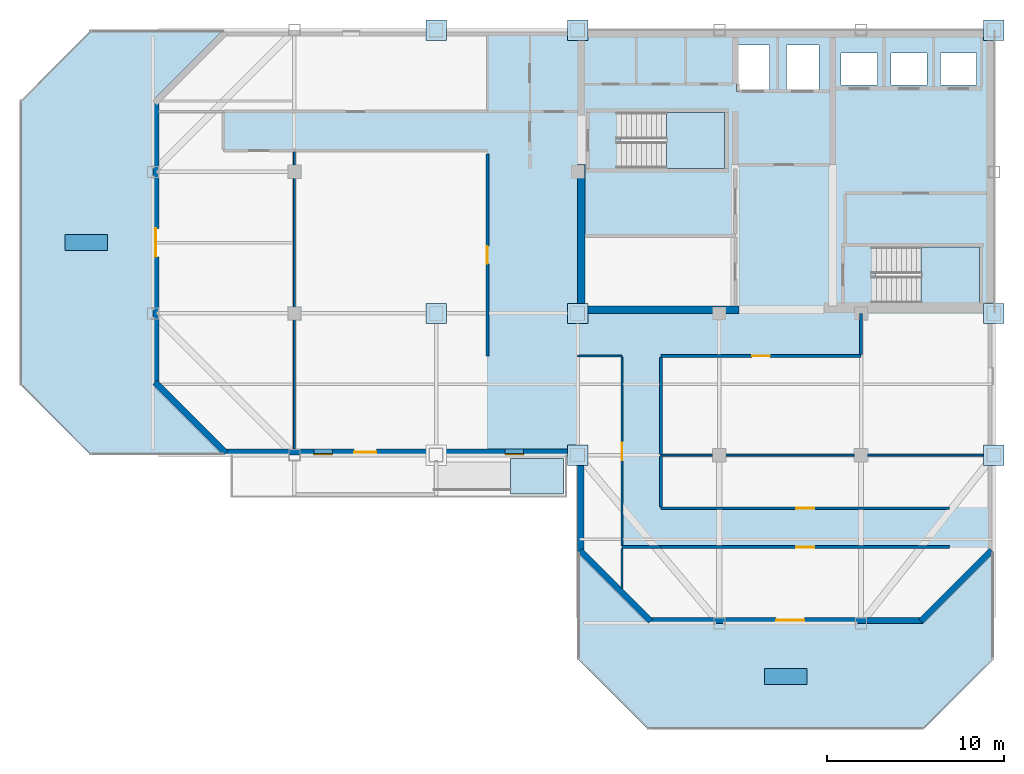
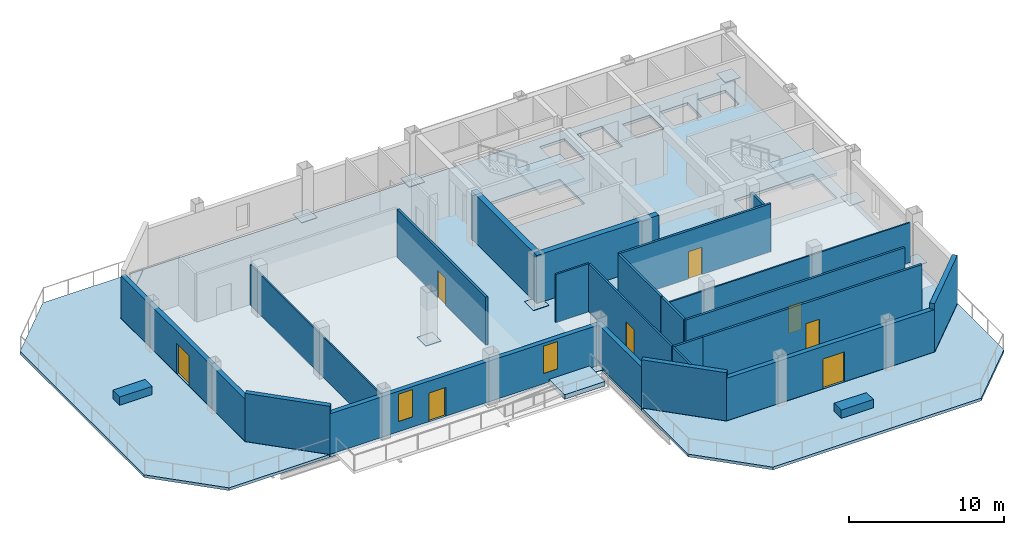
# One storey, part 2 of 8: 24 walls, 8 doors, 8 plates, 6 slabs, 2 windows, 10 openings, 3 elements without a shape of their own.
"""IFC4 building model written with IfcOpenShell, lengths in metres."""

from ifc_helpers import new_model, si_unit, direction, frame, frame_2d, origin, origin_2d, place, context, subcontext, project, spatial, polyline, rectangle, outline, extrude, material, layer, layer_set, type_object, element, fill, aggregate, save


model = new_model("IFC4")

# Units and contexts
model_context = context("Model", 3, precision=1e-05, world=origin(), true_north=direction((0.0, 1.0)))
body_context = subcontext(model_context, "Body", "Model", "MODEL_VIEW")
ifc_project = project(units=[si_unit("LENGTHUNIT", "METRE"), si_unit("AREAUNIT", "SQUARE_METRE"), si_unit("VOLUMEUNIT", "CUBIC_METRE"), si_unit("PLANEANGLEUNIT", "RADIAN"), si_unit("MASSUNIT", "GRAM", prefix="KILO")], contexts=[model_context])

# Site, building, storey
site_placement = place(None, origin())
site = spatial("IfcSite", under=ifc_project, at=site_placement, CompositionType="ELEMENT")
building_placement = place(site_placement, origin())
building = spatial("IfcBuilding", under=site, at=building_placement, Name="Qianrong Seaharbour Tower", CompositionType="ELEMENT")
storey_placement = place(building_placement, frame((0.0, 0.0, 287.199951171875)))
storey = spatial("IfcBuildingStorey", under=building, at=storey_placement, Name="L69", CompositionType="ELEMENT", Elevation=287.199951171875)

# Plates
ifc_material_1 = material(Name="Structural steel SN490B", Category="steel")
ifc_layer_1 = layer(ifc_material_1, 0.044921875)
ifc_layer_set_1 = layer_set([ifc_layer_1], Name="Structural steel SN490B")
plate_type = type_object("IfcPlateType", Name="PLT-COL-CAP-45", PredefinedType="SHEET", material=ifc_layer_set_1)
for number, where, z_axis, x_axis, name in (
    (1, (32.5, 36.0, -0.0224609375), (0.0, 0.0, 1.0), (1.0, 0.0, 0.0), "L69 Column Splice Cap Plate G5/GF"),
    (2, (32.5, 52.0, -0.0224609375), (0.0, 0.0, 1.0), (1.0, 0.0, 0.0), "L69 Column Splice Cap Plate G5/GH"),
    (3, (40.5, 28.0, -0.0224609375), (0.0, 0.0, 1.0), (1.0, 0.0, 0.0), "L69 Column Splice Cap Plate G6/GE"),
    (4, (40.5, 36.0, -0.0224609375), (0.0, 0.0, 1.0), (1.0, 0.0, 0.0), "L69 Column Splice Cap Plate G6/GF"),
    (5, (40.5, 52.0, -0.0224609375), (0.0, 0.0, 1.0), (1.0, 0.0, 0.0), "L69 Column Splice Cap Plate G6/GH"),
    (6, (64.0, 28.0, -0.0224609375), (0.0, 0.0, 1.0), (1.0, 0.0, 0.0), "L69 Column Splice Cap Plate G9/GE"),
    (7, (64.0, 36.0, -0.0224609375), (0.0, 0.0, 1.0), (1.0, 0.0, 0.0), "L69 Column Splice Cap Plate G9/GF"),
    (8, (64.0, 52.0, -0.0224609375), (0.0, 0.0, 1.0), (1.0, 0.0, 0.0), "L69 Column Splice Cap Plate G9/GH"),
):
    element("IfcPlate", number, at=place(storey_placement, frame(where, z_axis=z_axis, x_axis=x_axis)), inside=storey, type_object=plate_type, Name=name, PredefinedType="SHEET", context=body_context, shape_type="SweptSolid", body=[
        extrude(rectangle(XDim=1.14990234375, YDim=1.14990234375, at=origin_2d()), origin(), (0.0, 0.0, 1.0), 0.044921875),
    ])

# Ramp, slab
ifc_material_2 = material(Name="White architectural precast concrete C45/55", Category="concrete")
ramp_type = type_object("IfcRampType", Name="RAMP-RIBBON-GARDEN", PredefinedType="STRAIGHT_RUN_RAMP", material=ifc_material_2)
ramp_placement = place(storey_placement, origin())
ramp = element("IfcRamp", 9, at=ramp_placement, inside=storey, type_object=ramp_type, Name="L69 Harbourfront Garden Ribbon Ramp", PredefinedType="STRAIGHT_RUN_RAMP")
ifc_layer_2 = layer(ifc_material_2, 0.360107421875)
ifc_layer_set_2 = layer_set([ifc_layer_2], Name="White architectural precast concrete C45/55")
slab_type_1 = type_object("IfcSlabType", Name="SLAB-RAMP-LANDING-220", PredefinedType="LANDING", material=ifc_layer_set_2)
slab_1_placement = place(storey_placement, origin())
slab_1 = element("IfcSlab", 10, at=slab_1_placement, type_object=slab_type_1, Name="L69 Harbourfront Ribbon Raised Garden Landing", PredefinedType="LANDING", context=body_context, shape_type="SweptSolid", body=[
    extrude(outline(polyline([(36.699951171875, 25.800048828125), (39.699951171875, 25.800048828125), (39.699951171875, 27.800048828125), (36.699951171875, 27.800048828125), (36.699951171875, 25.800048828125)])), origin(), (0.0, 0.0, 1.0), 0.360107421875),
])
aggregate(ramp, [slab_1])

# Stair, slab
ifc_material_3 = material(Name="Concrete C50/60", Category="concrete")
stair_type = type_object("IfcStairType", Name="STAIR-DOGLEG-1500-R22", PredefinedType="HALF_TURN_STAIR", material=ifc_material_3)
stair_1_placement = place(storey_placement, origin())
stair_1 = element("IfcStair", 11, at=stair_1_placement, inside=storey, type_object=stair_type, Name="L69 Protected Escape Stair ST-1", PredefinedType="HALF_TURN_STAIR")
ifc_layer_3 = layer(ifc_material_3, 0.199951171875)
ifc_layer_set_3 = layer_set([ifc_layer_3], Name="Concrete C50/60")
slab_type_2 = type_object("IfcSlabType", Name="SLAB-STAIR-LANDING-200", PredefinedType="LANDING", material=ifc_layer_set_3)
slab_2_placement = place(storey_placement, frame((0.0, 0.0, 1.800048828125)))
slab_2 = element("IfcSlab", 12, at=slab_2_placement, type_object=slab_type_2, Name="ST-1 landing 1", PredefinedType="LANDING", context=body_context, shape_type="SweptSolid", body=[
    extrude(outline(polyline([(45.5, 44.199951171875), (48.800048828125, 44.199951171875), (48.800048828125, 47.35009765625), (45.5, 47.35009765625), (45.5, 44.199951171875)])), origin(), (0.0, 0.0, 1.0), 0.199951171875),
])
aggregate(stair_1, [slab_2])

stair_2_placement = place(storey_placement, origin())
stair_2 = element("IfcStair", 13, at=stair_2_placement, inside=storey, type_object=stair_type, Name="L69 Protected Escape Stair ST-2", PredefinedType="HALF_TURN_STAIR")
slab_3_placement = place(storey_placement, frame((0.0, 0.0, 1.800048828125)))
slab_3 = element("IfcSlab", 14, at=slab_3_placement, type_object=slab_type_2, Name="ST-2 landing 1", PredefinedType="LANDING", context=body_context, shape_type="SweptSolid", body=[
    extrude(outline(polyline([(59.89990234375, 36.60009765625), (63.199951171875, 36.60009765625), (63.199951171875, 39.75), (59.89990234375, 39.75), (59.89990234375, 36.60009765625)])), origin(), (0.0, 0.0, 1.0), 0.199951171875),
])
aggregate(stair_2, [slab_3])

# Slabs
ifc_layer_4 = layer(ifc_material_3, 0.215087890625)
ifc_layer_set_4 = layer_set([ifc_layer_4], Name="Concrete C50/60")
slab_type_3 = type_object("IfcSlabType", Name="SLAB-TERRACE-ROOF-215", PredefinedType="ROOF", material=ifc_layer_set_4)
slab_4_placement = place(storey_placement, frame((0.0, 0.0, -0.21484375)))
element("IfcSlab", 15, at=slab_4_placement, inside=storey, type_object=slab_type_3, Name="L69 Stepped Sky Garden Terrace Roof Slab 1", PredefinedType="ROOF", context=body_context, shape_type="SweptSolid", body=[
    extrude(outline(polyline([(9.0, 32.0), (9.0, 48.0), (13.0, 52.0), (20.4716796875, 52.0), (16.48583984375, 48.01416015625), (16.484619140625, 48.0126953125), (16.4833984375, 48.010986328125), (16.482421875, 48.009521484375), (16.4814453125, 48.0078125), (16.48095703125, 48.005859375), (16.48046875, 48.00390625), (16.47998046875, 48.001953125), (16.47998046875, 48.0), (16.47998046875, 32.0), (16.47998046875, 31.998046875), (16.48046875, 31.99609375), (16.48095703125, 31.994140625), (16.4814453125, 31.9921875), (16.482421875, 31.990478515625), (16.4833984375, 31.989013671875), (16.484619140625, 31.9873046875), (16.48583984375, 31.98583984375), (20.4716796875, 28.0), (13.0, 28.0), (9.0, 32.0)])), origin(), (0.0, 0.0, 1.0), 0.21484375),
])
slab_5_placement = place(storey_placement, frame((0.0, 0.0, -0.21484375)))
element("IfcSlab", 16, at=slab_5_placement, inside=storey, type_object=slab_type_3, Name="L69 Stepped Sky Garden Terrace Roof Slab 2", PredefinedType="ROOF", context=body_context, shape_type="SweptSolid", body=[
    extrude(outline(polyline([(60.0, 12.5), (44.5, 12.5), (40.5, 16.5), (40.5, 22.4716796875), (44.48583984375, 18.48583984375), (44.4873046875, 18.484619140625), (44.489013671875, 18.4833984375), (44.490478515625, 18.482421875), (44.4921875, 18.4814453125), (44.494140625, 18.48095703125), (44.49609375, 18.48046875), (44.498046875, 18.47998046875), (44.5, 18.47998046875), (60.0, 18.47998046875), (60.001953125, 18.47998046875), (60.00390625, 18.48046875), (60.005859375, 18.48095703125), (60.0078125, 18.4814453125), (60.009521484375, 18.482421875), (60.010986328125, 18.4833984375), (60.0126953125, 18.484619140625), (60.01416015625, 18.48583984375), (64.0, 22.4716796875), (64.0, 16.5), (60.0, 12.5)])), origin(), (0.0, 0.0, 1.0), 0.21484375),
])
ifc_layer_5 = layer(ifc_material_3, 0.215087890625)
ifc_layer_set_5 = layer_set([ifc_layer_5], Name="Concrete C50/60")
slab_type_4 = type_object("IfcSlabType", Name="SLAB-Z4-215", PredefinedType="FLOOR", material=ifc_layer_set_5)
slab_6_placement = place(storey_placement, frame((0.0, 0.0, -0.21484375)))
element("IfcSlab", 17, at=slab_6_placement, inside=storey, type_object=slab_type_4, Name="L69 Structural Floor Slab", PredefinedType="FLOOR", context=body_context, shape_type="SweptSolid", body=[
    extrude(outline(polyline([(44.5, 18.5), (60.0, 18.5), (64.0, 22.5), (64.0, 52.0), (20.5, 52.0), (16.5, 48.0), (16.5, 32.0), (20.5, 28.0), (40.5, 28.0), (40.5, 22.5), (44.5, 18.5)]), holes=[polyline([(42.93994140625, 44.199951171875), (42.93994140625, 47.35009765625), (48.800048828125, 47.35009765625), (48.800048828125, 44.199951171875), (42.93994140625, 44.199951171875)]), polyline([(57.340087890625, 36.60009765625), (57.340087890625, 39.75), (63.199951171875, 39.75), (63.199951171875, 36.60009765625), (57.340087890625, 36.60009765625)]), polyline([(49.47998046875, 48.530029296875), (49.47998046875, 51.169921875), (51.320068359375, 51.169921875), (51.320068359375, 48.530029296875), (49.47998046875, 48.530029296875)]), polyline([(52.280029296875, 48.530029296875), (52.280029296875, 51.169921875), (54.1201171875, 51.169921875), (54.1201171875, 48.530029296875), (52.280029296875, 48.530029296875)]), polyline([(55.3798828125, 48.89990234375), (55.3798828125, 50.699951171875), (57.419921875, 50.699951171875), (57.419921875, 48.89990234375), (55.3798828125, 48.89990234375)]), polyline([(58.179931640625, 48.89990234375), (58.179931640625, 50.699951171875), (60.219970703125, 50.699951171875), (60.219970703125, 48.89990234375), (58.179931640625, 48.89990234375)]), polyline([(60.97998046875, 48.89990234375), (60.97998046875, 50.699951171875), (63.02001953125, 50.699951171875), (63.02001953125, 48.89990234375), (60.97998046875, 48.89990234375)])]), origin(), (0.0, 0.0, 1.0), 0.21484375),
])

# Walls
ifc_layer_6 = layer(ifc_material_3, 0.419921875)
ifc_layer_set_6 = layer_set([ifc_layer_6], Name="Concrete C50/60")
wall_type_1 = type_object("IfcWallType", Name="WALL-CORE-420", PredefinedType="SHEAR", material=ifc_layer_set_6)
wall_1_placement = place(storey_placement, frame((40.7099609375, 36.419921875, 0.0), z_axis=(0.0, 0.0, 1.0), x_axis=(0.0, 1.0, 0.0)))
element("IfcWall", 18, at=wall_1_placement, inside=storey, type_object=wall_type_1, Name="L69 West Core Shear Wall South", PredefinedType="SHEAR", context=body_context, shape_type="SweptSolid", body=[
    extrude(rectangle(XDim=7.97998046875, YDim=0.419921875, at=frame_2d((3.989990234375, 0.0))), origin(), (0.0, 0.0, 1.0), 3.78515625),
])
wall_2_placement = place(storey_placement, frame((40.5, 36.2099609375, 0.0), z_axis=(0.0, 0.0, 1.0), x_axis=(1.0, 0.0, 0.0)))
element("IfcWall", 19, at=wall_2_placement, inside=storey, type_object=wall_type_1, Name="L69 South Core Shear Wall S1", PredefinedType="SHEAR", context=body_context, shape_type="SweptSolid", body=[
    extrude(rectangle(XDim=9.10009765625, YDim=0.419921875, at=frame_2d((4.550048828125, 0.0))), origin(), (0.0, 0.0, 1.0), 3.78515625),
])

# Wall, opening, door
ifc_material_4 = material(Name="Fire-rated acoustic gypsum board partition")
ifc_layer_7 = layer(ifc_material_4, 0.1650390625)
ifc_layer_set_7 = layer_set([ifc_layer_7], Name="Fire-rated acoustic gypsum board partition")
wall_type_2 = type_object("IfcWallType", Name="WALL-CORR-PART-165", PredefinedType="PARTITIONING", material=ifc_layer_set_7)
wall_3_placement = place(storey_placement, frame((35.39990234375, 33.60009765625, 0.0), z_axis=(0.0, 0.0, 1.0), x_axis=(0.0, 1.0, 0.0)))
wall_3 = element("IfcWall", 20, at=wall_3_placement, inside=storey, type_object=wall_type_2, Name="L69 Interior Partition Wall 022", PredefinedType="PARTITIONING", context=body_context, shape_type="SweptSolid", body=[
    extrude(rectangle(XDim=11.39990234375, YDim=0.1650390625, at=frame_2d((5.699951171875, 0.0))), origin(), (0.0, 0.0, 1.0), 3.78515625),
])
opening_1_placement = place(wall_3_placement, frame((5.199951171875, 0.0, 0.0)))
opening_1 = element("IfcOpeningElement", 21, at=opening_1_placement, cuts=wall_3, Name="Opening DO-01", PredefinedType="OPENING", context=body_context, shape_type="SweptSolid", body=[
    extrude(rectangle(XDim=1.0, YDim=2.14990234375, at=frame_2d((0.5, 1.074951171875))), frame((0.0, 0.092529296875, 0.0), z_axis=(0.0, -1.0, 0.0), x_axis=(1.0, 0.0, 0.0)), (0.0, 0.0, 1.0), 0.18505859375),
])
ifc_material_5 = material(Name="Acoustic timber and galvanized steel fire door assembly", Category="steel")
door_type_1 = type_object("IfcDoorType", Name="DOOR-OFFICE-1000x2150", OperationType="NOTDEFINED", PredefinedType="DOOR", material=ifc_material_5)
door_1_placement = place(opening_1_placement, origin())
door_1 = element("IfcDoor", 22, at=door_1_placement, inside=storey, type_object=door_type_1, Name="L69 Project Library 2 Door", OperationType="SINGLE_SWING_LEFT", OverallHeight=2.14990234375, OverallWidth=1.0, PredefinedType="DOOR", context=body_context, shape_type="SweptSolid", body=[
    extrude(rectangle(XDim=1.0, YDim=2.14990234375, at=frame_2d((0.5, 1.074951171875))), frame((0.0, 0.02490234375, 0.0), z_axis=(0.0, -1.0, 0.0), x_axis=(1.0, 0.0, 0.0)), (0.0, 0.0, 1.0), 0.050048828125),
])
fill(opening_1, door_1)

# Wall
wall_4_placement = place(storey_placement, frame((56.5, 36.0, 0.0), z_axis=(0.0, 0.0, 1.0), x_axis=(0.0, -1.0, 0.0)))
element("IfcWall", 23, at=wall_4_placement, inside=storey, type_object=wall_type_2, Name="L69 Interior Partition Wall 023", PredefinedType="PARTITIONING", context=body_context, shape_type="SweptSolid", body=[
    extrude(rectangle(XDim=2.325439453125, YDim=0.1650390625, at=frame_2d((1.16259765625, 0.0))), origin(), (0.0, 0.0, 1.0), 3.177001953125),
])

# Wall, opening, door
wall_5_placement = place(storey_placement, frame((56.5, 33.60009765625, 0.0), z_axis=(0.0, 0.0, 1.0), x_axis=(-1.0, 0.0, 0.0)))
wall_5 = element("IfcWall", 24, at=wall_5_placement, inside=storey, type_object=wall_type_2, Name="L69 Interior Partition Wall 024", PredefinedType="PARTITIONING", context=body_context, shape_type="SweptSolid", body=[
    extrude(rectangle(XDim=11.300048828125, YDim=0.1650390625, at=frame_2d((5.64990234375, 0.0))), origin(), (0.0, 0.0, 1.0), 3.78515625),
])
opening_2_placement = place(wall_5_placement, frame((5.14990234375, 0.0, 0.0)))
opening_2 = element("IfcOpeningElement", 25, at=opening_2_placement, cuts=wall_5, Name="Opening DO-01", PredefinedType="OPENING", context=body_context, shape_type="SweptSolid", body=[
    extrude(rectangle(XDim=1.0, YDim=2.14990234375, at=frame_2d((0.5, 1.074951171875))), frame((0.0, 0.092529296875, 0.0), z_axis=(0.0, -1.0, 0.0), x_axis=(1.0, 0.0, 0.0)), (0.0, 0.0, 1.0), 0.18505859375),
])
door_2_placement = place(opening_2_placement, origin())
door_2 = element("IfcDoor", 26, at=door_2_placement, inside=storey, type_object=door_type_1, Name="L69 Executive Briefing Salon 2 Door", OperationType="SINGLE_SWING_LEFT", OverallHeight=2.14990234375, OverallWidth=1.0, PredefinedType="DOOR", context=body_context, shape_type="SweptSolid", body=[
    extrude(rectangle(XDim=1.0, YDim=2.14990234375, at=frame_2d((0.5, 1.074951171875))), frame((0.0, 0.02490234375, 0.0), z_axis=(0.0, -1.0, 0.0), x_axis=(1.0, 0.0, 0.0)), (0.0, 0.0, 1.0), 0.050048828125),
])
fill(opening_2, door_2)

# Walls
wall_6_placement = place(storey_placement, frame((45.199951171875, 27.952880859375, 0.0), z_axis=(0.0, 0.0, 1.0), x_axis=(0.0, -1.0, 0.0)))
element("IfcWall", 27, at=wall_6_placement, inside=storey, type_object=wall_type_2, Name="L69 Interior Partition Wall 026", PredefinedType="PARTITIONING", context=body_context, shape_type="SweptSolid", body=[
    extrude(rectangle(XDim=2.87841796875, YDim=0.1650390625, at=frame_2d((1.439208984375, 0.0))), origin(), (0.0, 0.0, 1.0), 3.78515625),
])
wall_7_placement = place(storey_placement, frame((45.199951171875, 33.525390625, 0.0), z_axis=(0.0, 0.0, 1.0), x_axis=(0.0, -1.0, 0.0)))
element("IfcWall", 28, at=wall_7_placement, inside=storey, type_object=wall_type_2, Name="L69 Interior Partition Wall 027", PredefinedType="PARTITIONING", context=body_context, shape_type="SweptSolid", body=[
    extrude(rectangle(XDim=5.478271484375, YDim=0.1650390625, at=frame_2d((2.7392578125, 0.0))), origin(), (0.0, 0.0, 1.0), 3.78515625),
])
wall_8_placement = place(storey_placement, frame((45.199951171875, 22.800048828125, 0.0), z_axis=(0.0, 0.0, 1.0), x_axis=(-1.0, 0.0, 0.0)))
element("IfcWall", 29, at=wall_8_placement, inside=storey, type_object=wall_type_2, Name="L69 Interior Partition Wall 029", PredefinedType="PARTITIONING", context=body_context, shape_type="SweptSolid", body=[
    extrude(rectangle(XDim=2.199951171875, YDim=0.1650390625, at=frame_2d((1.10009765625, 0.0))), origin(), (0.0, 0.0, 1.0), 3.78515625),
])

# Wall, opening, door
wall_9_placement = place(storey_placement, frame((45.199951171875, 25.0, 0.0), z_axis=(0.0, 0.0, 1.0), x_axis=(1.0, 0.0, 0.0)))
wall_9 = element("IfcWall", 30, at=wall_9_placement, inside=storey, type_object=wall_type_2, Name="L69 Interior Partition Wall 030", PredefinedType="PARTITIONING", context=body_context, shape_type="SweptSolid", body=[
    extrude(rectangle(XDim=16.300048828125, YDim=0.1650390625, at=frame_2d((8.14990234375, 0.0))), origin(), (0.0, 0.0, 1.0), 3.78515625),
])
opening_3_placement = place(wall_9_placement, frame((7.64990234375, 0.0, 0.0)))
opening_3 = element("IfcOpeningElement", 31, at=opening_3_placement, cuts=wall_9, Name="Opening DO-01", PredefinedType="OPENING", context=body_context, shape_type="SweptSolid", body=[
    extrude(rectangle(XDim=1.0, YDim=2.14990234375, at=frame_2d((0.5, 1.074951171875))), frame((0.0, 0.092529296875, 0.0), z_axis=(0.0, -1.0, 0.0), x_axis=(1.0, 0.0, 0.0)), (0.0, 0.0, 1.0), 0.18505859375),
])
door_3_placement = place(opening_3_placement, origin())
door_3 = element("IfcDoor", 32, at=door_3_placement, inside=storey, type_object=door_type_1, Name="L69 Harbour View Dining Bistro 1 Door", OperationType="SINGLE_SWING_RIGHT", OverallHeight=2.14990234375, OverallWidth=1.0, PredefinedType="DOOR", context=body_context, shape_type="SweptSolid", body=[
    extrude(rectangle(XDim=1.0, YDim=2.14990234375, at=frame_2d((0.5, 1.074951171875))), frame((0.0, 0.02490234375, 0.0), z_axis=(0.0, -1.0, 0.0), x_axis=(1.0, 0.0, 0.0)), (0.0, 0.0, 1.0), 0.050048828125),
])
fill(opening_3, door_3)

wall_10_placement = place(storey_placement, frame((61.5, 22.800048828125, 0.0), z_axis=(0.0, 0.0, 1.0), x_axis=(-1.0, 0.0, 0.0)))
wall_10 = element("IfcWall", 33, at=wall_10_placement, inside=storey, type_object=wall_type_2, Name="L69 Interior Partition Wall 031", PredefinedType="PARTITIONING", context=body_context, shape_type="SweptSolid", body=[
    extrude(rectangle(XDim=16.300048828125, YDim=0.1650390625, at=frame_2d((8.14990234375, 0.0))), origin(), (0.0, 0.0, 1.0), 3.78515625),
])
opening_4_placement = place(wall_10_placement, frame((7.64990234375, 0.0, 0.0)))
opening_4 = element("IfcOpeningElement", 34, at=opening_4_placement, cuts=wall_10, Name="Opening DO-01", PredefinedType="OPENING", context=body_context, shape_type="SweptSolid", body=[
    extrude(rectangle(XDim=1.0, YDim=2.14990234375, at=frame_2d((0.5, 1.074951171875))), frame((0.0, 0.092529296875, 0.0), z_axis=(0.0, -1.0, 0.0), x_axis=(1.0, 0.0, 0.0)), (0.0, 0.0, 1.0), 0.18505859375),
])
door_4_placement = place(opening_4_placement, origin())
door_4 = element("IfcDoor", 35, at=door_4_placement, inside=storey, type_object=door_type_1, Name="L69 Skyline Observation Lounge Door", OperationType="SINGLE_SWING_LEFT", OverallHeight=2.14990234375, OverallWidth=1.0, PredefinedType="DOOR", context=body_context, shape_type="SweptSolid", body=[
    extrude(rectangle(XDim=1.0, YDim=2.14990234375, at=frame_2d((0.5, 1.074951171875))), frame((0.0, 0.02490234375, 0.0), z_axis=(0.0, -1.0, 0.0), x_axis=(1.0, 0.0, 0.0)), (0.0, 0.0, 1.0), 0.050048828125),
])
fill(opening_4, door_4)

# Walls
ifc_material_6 = material(Name="Demountable aluminium-framed acoustic office partition", Category="aluminium")
ifc_layer_8 = layer(ifc_material_6, 0.110107421875)
ifc_layer_set_8 = layer_set([ifc_layer_8], Name="Demountable aluminium-framed acoustic office partition")
wall_type_3 = type_object("IfcWallType", Name="WALL-DEMOUNT-110", PredefinedType="MOVABLE", material=ifc_layer_set_8)
wall_11_placement = place(storey_placement, frame((24.5, 45.12548828125, 0.0), z_axis=(0.0, 0.0, 1.0), x_axis=(0.0, -1.0, 0.0)))
element("IfcWall", 36, at=wall_11_placement, inside=storey, type_object=wall_type_3, Name="L69 Interior Partition Wall 033", PredefinedType="MOVABLE", context=body_context, shape_type="SweptSolid", body=[
    extrude(rectangle(XDim=16.79345703125, YDim=0.110107421875, at=frame_2d((8.396728515625, 0.0))), origin(), (0.0, 0.0, 1.0), 3.177001953125),
])
wall_12_placement = place(storey_placement, frame((45.199951171875, 28.0, 0.0), z_axis=(0.0, 0.0, 1.0), x_axis=(1.0, 0.0, 0.0)))
element("IfcWall", 37, at=wall_12_placement, inside=storey, type_object=wall_type_3, Name="L69 Interior Partition Wall 034", PredefinedType="MOVABLE", context=body_context, shape_type="SweptSolid", body=[
    extrude(rectangle(XDim=18.468017578125, YDim=0.110107421875, at=frame_2d((9.23388671875, 0.0))), origin(), (0.0, 0.0, 1.0), 3.177001953125),
])
ifc_material_7 = material(Name="Unitised buff brick on Precast concrete C45/55", Category="masonry")
ifc_layer_9 = layer(ifc_material_7, 0.340087890625)
ifc_layer_set_9 = layer_set([ifc_layer_9], Name="Unitised buff brick on Precast concrete C45/55")
wall_type_4 = type_object("IfcWallType", Name="WALL-EXT-BRICK-BUFF-340", PredefinedType="SOLIDWALL", material=ifc_layer_set_9)
wall_13_placement = place(storey_placement, frame((40.669921875, 22.5, 0.0), z_axis=(0.0, 0.0, 1.0), x_axis=(0.0, 1.0, 0.0)))
element("IfcWall", 38, at=wall_13_placement, inside=storey, type_object=wall_type_4, Name="L69 Exterior Masonry Facade Wall REENTRANT_WEST", PredefinedType="SOLIDWALL", context=body_context, shape_type="SweptSolid", body=[
    extrude(rectangle(XDim=5.840087890625, YDim=0.340087890625, at=frame_2d((2.919921875, 0.0))), origin(), (0.0, 0.0, 1.0), 3.18505859375),
])

# Wall, openings, door, windows
wall_14_placement = place(storey_placement, frame((40.52001953125, 28.169921875, 0.0), z_axis=(0.0, 0.0, 1.0), x_axis=(-1.0, 0.0, 0.0)))
wall_14 = element("IfcWall", 39, at=wall_14_placement, inside=storey, type_object=wall_type_4, Name="L69 Exterior Masonry Facade Wall HARBOUR_RIBBON", PredefinedType="SOLIDWALL", context=body_context, shape_type="SweptSolid", body=[
    extrude(rectangle(XDim=20.02001953125, YDim=0.340087890625, at=frame_2d((10.010009765625, 0.0))), origin(), (0.0, 0.0, 1.0), 3.18505859375),
])
opening_5_placement = place(wall_14_placement, frame((3.074951171875, 0.0, 0.800048828125)))
opening_5 = element("IfcOpeningElement", 40, at=opening_5_placement, cuts=wall_14, Name="Opening WN-14", PredefinedType="OPENING", context=body_context, shape_type="SweptSolid", body=[
    extrude(rectangle(XDim=1.050048828125, YDim=2.14990234375, at=frame_2d((0.52490234375, 1.074951171875))), frame((0.0, 0.18017578125, 0.0), z_axis=(0.0, -1.0, 0.0), x_axis=(1.0, 0.0, 0.0)), (0.0, 0.0, 1.0), 0.360107421875),
])
opening_6_placement = place(wall_14_placement, frame((13.875, 0.0, 0.800048828125)))
opening_6 = element("IfcOpeningElement", 41, at=opening_6_placement, cuts=wall_14, Name="Opening WN-14", PredefinedType="OPENING", context=body_context, shape_type="SweptSolid", body=[
    extrude(rectangle(XDim=1.050048828125, YDim=2.14990234375, at=frame_2d((0.52490234375, 1.074951171875))), frame((0.0, 0.18017578125, 0.0), z_axis=(0.0, -1.0, 0.0), x_axis=(1.0, 0.0, 0.0)), (0.0, 0.0, 1.0), 0.360107421875),
])
opening_7_placement = place(wall_14_placement, frame((11.39501953125, 0.0, 0.0)))
opening_7 = element("IfcOpeningElement", 42, at=opening_7_placement, cuts=wall_14, Name="Opening D-TER1", PredefinedType="OPENING", context=body_context, shape_type="SweptSolid", body=[
    extrude(rectangle(XDim=1.25, YDim=2.25, at=frame_2d((0.625, 1.125))), frame((0.0, 0.18017578125, 0.0), z_axis=(0.0, -1.0, 0.0), x_axis=(1.0, 0.0, 0.0)), (0.0, 0.0, 1.0), 0.360107421875),
])
ifc_material_8 = material(Name="Insulated galvanized steel and laminated glass door assembly", Category="steel")
door_type_2 = type_object("IfcDoorType", Name="DOOR-EXT-TERRACE-1250x2250", OperationType="NOTDEFINED", PredefinedType="DOOR", material=ifc_material_8)
door_5_placement = place(opening_7_placement, origin())
door_5 = element("IfcDoor", 43, at=door_5_placement, inside=storey, type_object=door_type_2, Name="L69 Harbourfront Ribbon Gallery Access Door", OperationType="SINGLE_SWING_RIGHT", OverallHeight=2.25, OverallWidth=1.25, PredefinedType="DOOR", context=body_context, shape_type="SweptSolid", body=[
    extrude(rectangle(XDim=1.25, YDim=2.25, at=frame_2d((0.625, 1.125))), frame((0.0, 0.02490234375, 0.0), z_axis=(0.0, -1.0, 0.0), x_axis=(1.0, 0.0, 0.0)), (0.0, 0.0, 1.0), 0.050048828125),
])
fill(opening_7, door_5)
ifc_material_9 = material(Name="Insulated low-e double glazing in thermally broken aluminium 6063-T6 frame", Category="aluminium")
window_type = type_object("IfcWindowType", Name="WIN-NARROW-1050x2150", PartitioningType="SINGLE_PANEL", PredefinedType="WINDOW", material=ifc_material_9)
window_1_placement = place(opening_5_placement, origin())
window_1 = element("IfcWindow", 44, at=window_1_placement, inside=storey, type_object=window_type, Name="L69 Deep-Set Punched Window 01.01", OverallHeight=2.14990234375, OverallWidth=1.050048828125, PartitioningType="SINGLE_PANEL", PredefinedType="WINDOW", context=body_context, shape_type="SweptSolid", body=[
    extrude(rectangle(XDim=1.050048828125, YDim=2.14990234375, at=frame_2d((0.52490234375, 1.074951171875))), frame((0.0, 0.150146484375, 0.0), z_axis=(0.0, -1.0, 0.0), x_axis=(1.0, 0.0, 0.0)), (0.0, 0.0, 1.0), 0.06005859375),
])
fill(opening_5, window_1)
window_2_placement = place(opening_6_placement, origin())
window_2 = element("IfcWindow", 45, at=window_2_placement, inside=storey, type_object=window_type, Name="L69 Deep-Set Punched Window 01.04", OverallHeight=2.14990234375, OverallWidth=1.050048828125, PartitioningType="SINGLE_PANEL", PredefinedType="WINDOW", context=body_context, shape_type="SweptSolid", body=[
    extrude(rectangle(XDim=1.050048828125, YDim=2.14990234375, at=frame_2d((0.52490234375, 1.074951171875))), frame((0.0, 0.150146484375, 0.0), z_axis=(0.0, -1.0, 0.0), x_axis=(1.0, 0.0, 0.0)), (0.0, 0.0, 1.0), 0.06005859375),
])
fill(opening_6, window_2)

# Wall
wall_15_placement = place(storey_placement, frame((20.6201171875, 28.1201171875, 0.0), z_axis=(0.0, 0.0, 1.0), x_axis=(-0.707106781187, 0.707106781187, 0.0)))
element("IfcWall", 46, at=wall_15_placement, inside=storey, type_object=wall_type_4, Name="L69 Exterior Masonry Facade Wall E02", PredefinedType="SOLIDWALL", context=body_context, shape_type="SweptSolid", body=[
    extrude(rectangle(XDim=5.65673828125, YDim=0.340087890625, at=frame_2d((2.828369140625, 0.0))), origin(), (0.0, 0.0, 1.0), 3.78515625),
])

# Wall, opening, door
wall_16_placement = place(storey_placement, frame((16.669921875, 32.0, 0.0), z_axis=(0.0, 0.0, 1.0), x_axis=(0.0, 1.0, 0.0)))
wall_16 = element("IfcWall", 47, at=wall_16_placement, inside=storey, type_object=wall_type_4, Name="L69 Exterior Masonry Facade Wall WEST_TIP", PredefinedType="SOLIDWALL", context=body_context, shape_type="SweptSolid", body=[
    extrude(rectangle(XDim=16.0, YDim=0.340087890625, at=frame_2d((8.0, 0.0))), origin(), (0.0, 0.0, 1.0), 3.3349609375),
])
opening_8_placement = place(wall_16_placement, frame((7.199951171875, 0.0, 0.0)))
opening_8 = element("IfcOpeningElement", 48, at=opening_8_placement, cuts=wall_16, Name="Opening D-TER2", PredefinedType="OPENING", context=body_context, shape_type="SweptSolid", body=[
    extrude(rectangle(XDim=1.60009765625, YDim=2.35009765625, at=frame_2d((0.800048828125, 1.175048828125))), frame((0.0, 0.18017578125, 0.0), z_axis=(0.0, -1.0, 0.0), x_axis=(1.0, 0.0, 0.0)), (0.0, 0.0, 1.0), 0.360107421875),
])
door_type_3 = type_object("IfcDoorType", Name="DOOR-EXT-GARDEN-1600x2350", OperationType="DOUBLE_DOOR_SINGLE_SWING", PredefinedType="DOOR", material=ifc_material_8)
door_6_placement = place(opening_8_placement, origin())
door_6 = element("IfcDoor", 49, at=door_6_placement, inside=storey, type_object=door_type_3, Name="L69 Sky Garden Terrace Access Door 5", OperationType="DOUBLE_DOOR_SINGLE_SWING", OverallHeight=2.35009765625, OverallWidth=1.60009765625, PredefinedType="DOOR", context=body_context, shape_type="SweptSolid", body=[
    extrude(rectangle(XDim=1.60009765625, YDim=2.35009765625, at=frame_2d((0.800048828125, 1.175048828125))), frame((0.0, 0.02490234375, 0.0), z_axis=(0.0, -1.0, 0.0), x_axis=(1.0, 0.0, 0.0)), (0.0, 0.0, 1.0), 0.050048828125),
])
fill(opening_8, door_6)

# Wall
wall_17_placement = place(storey_placement, frame((63.8798828125, 22.6201171875, 0.0), z_axis=(0.0, 0.0, 1.0), x_axis=(-0.707106781187, -0.707106781187, 0.0)))
element("IfcWall", 50, at=wall_17_placement, inside=storey, type_object=wall_type_4, Name="L69 Exterior Masonry Facade Wall E07", PredefinedType="SOLIDWALL", context=body_context, shape_type="SweptSolid", body=[
    extrude(rectangle(XDim=5.65673828125, YDim=0.340087890625, at=frame_2d((2.828369140625, 0.0))), origin(), (0.0, 0.0, 1.0), 3.78515625),
])

# Wall, opening, door
wall_18_placement = place(storey_placement, frame((60.0, 18.669921875, 0.0), z_axis=(0.0, 0.0, 1.0), x_axis=(-1.0, 0.0, 0.0)))
wall_18 = element("IfcWall", 51, at=wall_18_placement, inside=storey, type_object=wall_type_4, Name="L69 Exterior Masonry Facade Wall SOUTH_TIP", PredefinedType="SOLIDWALL", context=body_context, shape_type="SweptSolid", body=[
    extrude(rectangle(XDim=15.5, YDim=0.340087890625, at=frame_2d((7.75, 0.0))), origin(), (0.0, 0.0, 1.0), 3.3349609375),
])
opening_9_placement = place(wall_18_placement, frame((6.699951171875, 0.0, 0.0)))
opening_9 = element("IfcOpeningElement", 52, at=opening_9_placement, cuts=wall_18, Name="Opening D-TER2", PredefinedType="OPENING", context=body_context, shape_type="SweptSolid", body=[
    extrude(rectangle(XDim=1.60009765625, YDim=2.35009765625, at=frame_2d((0.800048828125, 1.175048828125))), frame((0.0, 0.18017578125, 0.0), z_axis=(0.0, -1.0, 0.0), x_axis=(1.0, 0.0, 0.0)), (0.0, 0.0, 1.0), 0.360107421875),
])
door_7_placement = place(opening_9_placement, origin())
door_7 = element("IfcDoor", 53, at=door_7_placement, inside=storey, type_object=door_type_3, Name="L69 Sky Garden Terrace Access Door 6", OperationType="DOUBLE_DOOR_SINGLE_SWING", OverallHeight=2.35009765625, OverallWidth=1.60009765625, PredefinedType="DOOR", context=body_context, shape_type="SweptSolid", body=[
    extrude(rectangle(XDim=1.60009765625, YDim=2.35009765625, at=frame_2d((0.800048828125, 1.175048828125))), frame((0.0, 0.02490234375, 0.0), z_axis=(0.0, -1.0, 0.0), x_axis=(1.0, 0.0, 0.0)), (0.0, 0.0, 1.0), 0.050048828125),
])
fill(opening_9, door_7)

# Walls
wall_19_placement = place(storey_placement, frame((44.6201171875, 18.6201171875, 0.0), z_axis=(0.0, 0.0, 1.0), x_axis=(-0.707106781187, 0.707106781187, 0.0)))
element("IfcWall", 54, at=wall_19_placement, inside=storey, type_object=wall_type_4, Name="L69 Exterior Masonry Facade Wall E09", PredefinedType="SOLIDWALL", context=body_context, shape_type="SweptSolid", body=[
    extrude(rectangle(XDim=5.65673828125, YDim=0.340087890625, at=frame_2d((2.828369140625, 0.0))), origin(), (0.0, 0.0, 1.0), 3.78515625),
])
ifc_layer_10 = layer(ifc_material_2, 0.89990234375)
ifc_layer_set_10 = layer_set([ifc_layer_10], Name="White architectural precast concrete C45/55")
wall_type_5 = type_object("IfcWallType", Name="WALL-PLANTER-KERB-210", PredefinedType="PARAPET", material=ifc_layer_set_10)
for number, where, z_axis, x_axis, name in (
    (55, (11.5400390625, 40.0, 0.0), (0.0, 0.0, 1.0), (1.0, 0.0, 0.0), "L69 Sky Garden Structural Planter PLANTER 5"),
    (56, (51.050048828125, 15.489990234375, 0.0), (0.0, 0.0, 1.0), (1.0, 0.0, 0.0), "L69 Sky Garden Structural Planter PLANTER 6"),
):
    element("IfcWall", number, at=place(storey_placement, frame(where, z_axis=z_axis, x_axis=x_axis)), inside=storey, type_object=wall_type_5, Name=name, PredefinedType="PARAPET", context=body_context, shape_type="SweptSolid", body=[
        extrude(rectangle(XDim=2.39990234375, YDim=0.89990234375, at=frame_2d((1.199951171875, 0.0))), origin(), (0.0, 0.0, 1.0), 0.650146484375),
    ])
ifc_material_10 = material(Name="Water-resistant cement board sanitary partition")
ifc_layer_11 = layer(ifc_material_10, 0.1298828125)
ifc_layer_set_11 = layer_set([ifc_layer_11], Name="Water-resistant cement board sanitary partition")
wall_type_6 = type_object("IfcWallType", Name="WALL-WET-PART-130", PredefinedType="PARTITIONING", material=ifc_layer_set_11)
wall_20_placement = place(storey_placement, frame((43.0, 33.60009765625, 0.0), z_axis=(0.0, 0.0, 1.0), x_axis=(-1.0, 0.0, 0.0)))
element("IfcWall", 57, at=wall_20_placement, inside=storey, type_object=wall_type_6, Name="L69 Interior Partition Wall 025", PredefinedType="PARTITIONING", context=body_context, shape_type="SweptSolid", body=[
    extrude(rectangle(XDim=2.5, YDim=0.1298828125, at=frame_2d((1.25, 0.0))), origin(), (0.0, 0.0, 1.0), 3.78515625),
])

# Wall, opening, door
wall_21_placement = place(storey_placement, frame((43.0, 22.87451171875, 0.0), z_axis=(0.0, 0.0, 1.0), x_axis=(0.0, 1.0, 0.0)))
wall_21 = element("IfcWall", 58, at=wall_21_placement, inside=storey, type_object=wall_type_6, Name="L69 Interior Partition Wall 028", PredefinedType="PARTITIONING", context=body_context, shape_type="SweptSolid", body=[
    extrude(rectangle(XDim=10.66845703125, YDim=0.1298828125, at=frame_2d((5.334228515625, 0.0))), origin(), (0.0, 0.0, 1.0), 3.78515625),
])
opening_10_placement = place(wall_21_placement, frame((4.834228515625, 0.0, 0.0)))
opening_10 = element("IfcOpeningElement", 59, at=opening_10_placement, cuts=wall_21, Name="Opening DO-01", PredefinedType="OPENING", context=body_context, shape_type="SweptSolid", body=[
    extrude(rectangle(XDim=1.0, YDim=2.14990234375, at=frame_2d((0.5, 1.074951171875))), frame((0.0, 0.074951171875, 0.0), z_axis=(0.0, -1.0, 0.0), x_axis=(1.0, 0.0, 0.0)), (0.0, 0.0, 1.0), 0.14990234375),
])
door_8_placement = place(opening_10_placement, origin())
door_8 = element("IfcDoor", 60, at=door_8_placement, inside=storey, type_object=door_type_1, Name="L69 Wet Pantry Door", OperationType="SINGLE_SWING_RIGHT", OverallHeight=2.14990234375, OverallWidth=1.0, PredefinedType="DOOR", context=body_context, shape_type="SweptSolid", body=[
    extrude(rectangle(XDim=1.0, YDim=2.14990234375, at=frame_2d((0.5, 1.074951171875))), frame((0.0, 0.02490234375, 0.0), z_axis=(0.0, -1.0, 0.0), x_axis=(1.0, 0.0, 0.0)), (0.0, 0.0, 1.0), 0.050048828125),
])
fill(opening_10, door_8)

# Wall
wall_22_placement = place(storey_placement, frame((43.0, 22.7255859375, 0.0), z_axis=(0.0, 0.0, 1.0), x_axis=(0.0, -1.0, 0.0)))
element("IfcWall", 61, at=wall_22_placement, inside=storey, type_object=wall_type_6, Name="L69 Interior Partition Wall 035", PredefinedType="PARTITIONING", context=body_context, shape_type="SweptSolid", body=[
    extrude(rectangle(XDim=2.256103515625, YDim=0.1298828125, at=frame_2d((1.1279296875, 0.0))), origin(), (0.0, 0.0, 1.0), 3.78515625),
])

save(model, "model.ifc")
